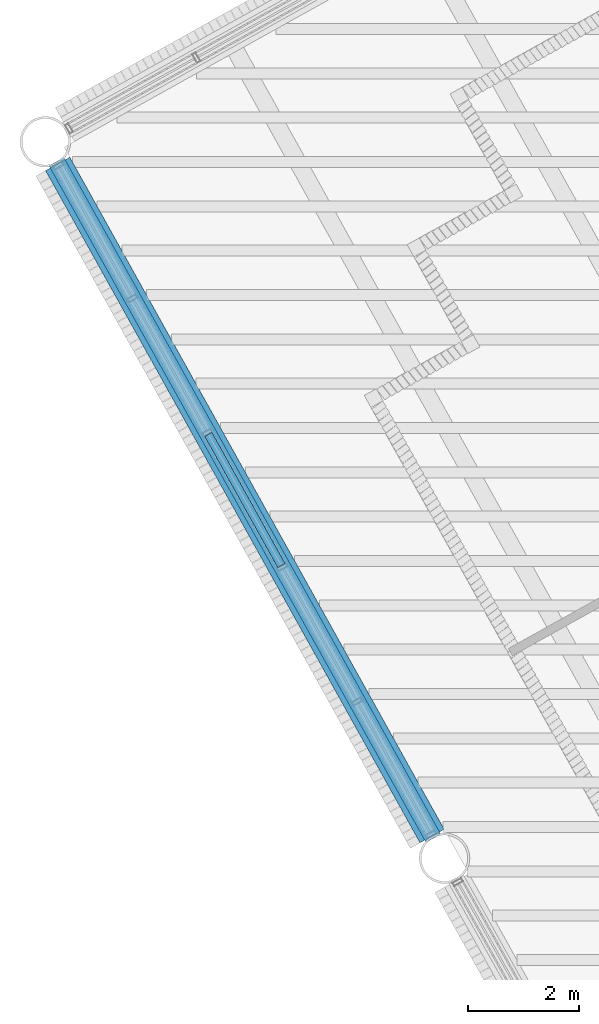
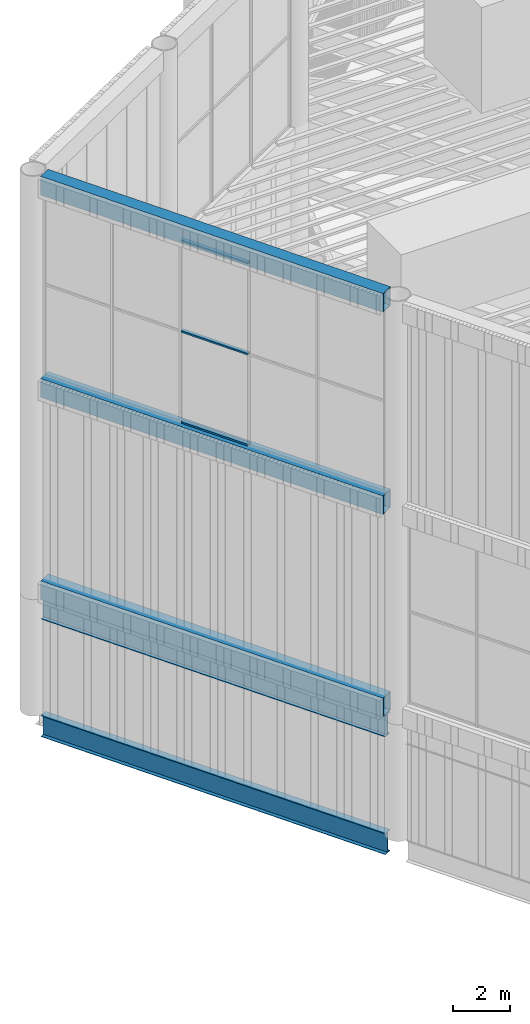
# One storey, part 14 of 117: 5 beams, 3 members, 1 element without a shape of its own.
"""IFC4 building model written with IfcOpenShell, lengths in metres."""

from ifc_helpers import new_model, si_unit, direction, frame, origin, origin_2d, place, context, subcontext, project, spatial, hollow_rectangle, i_section, extrude, material, layer, layer_set, material_profile, profile_set, type_object, element, aggregate, save


model = new_model("IFC4")

# Units and contexts
model_context = context("Model", 3, precision=1e-05, world=origin(), true_north=direction((0.0, 1.0)))
body_context = subcontext(model_context, "Body", "Model", "MODEL_VIEW")
ifc_project = project(units=[si_unit("LENGTHUNIT", "METRE"), si_unit("AREAUNIT", "SQUARE_METRE"), si_unit("VOLUMEUNIT", "CUBIC_METRE"), si_unit("PLANEANGLEUNIT", "RADIAN"), si_unit("MASSUNIT", "GRAM", prefix="KILO")], contexts=[model_context])

# Site, building, storey
site_placement = place(None, origin())
site = spatial("IfcSite", under=ifc_project, at=site_placement, CompositionType="ELEMENT")
building_placement = place(site_placement, origin())
building = spatial("IfcBuilding", under=site, at=building_placement, Name="Tarsis Ring Headquarters", CompositionType="ELEMENT")
storey_placement = place(building_placement, frame((0.0, 0.0, 403.60009765625)))
storey = spatial("IfcBuildingStorey", under=building, at=storey_placement, Name="L95", CompositionType="ELEMENT", Elevation=403.60009765625)

# Beams
ifc_material_1 = material(Name="Structural steel S355", Category="steel")
ifc_material_profile_1 = material_profile(ifc_material_1, hollow_rectangle(XDim=0.5, YDim=0.800048828125, WallThickness=0.030029296875, at=origin_2d()), Name="RHS 800x500x30")
ifc_profile_set_1 = profile_set([ifc_material_profile_1], Name="Structural steel S355")
beam_type_1 = type_object("IfcBeamType", Name="Crown frame ring beam RHS 800x500x30", PredefinedType="BEAM", material=ifc_profile_set_1)
for number, where, z_axis, x_axis, name in (
    (1, (-44.3701171875, -8.298095703125, 5.39990234375), (0.486644272481, -0.873600224394, 0.0), (0.873600224394, 0.486644272481, 0.0), "Crown frame ring beam R16"),
    (2, (-44.3701171875, -8.298095703125, 14.0), (0.486644272481, -0.873600224394, 0.0), (0.873600224394, 0.486644272481, 0.0), "Crown frame ring beam M16"),
    (3, (-44.3701171875, -8.298095703125, 22.599853515625), (0.486644272481, -0.873600224394, 0.0), (0.873600224394, 0.486644272481, 0.0), "Crown frame ring beam T16"),
):
    element("IfcBeam", number, at=place(storey_placement, frame(where, z_axis=z_axis, x_axis=x_axis)), inside=storey, type_object=beam_type_1, Name=name, PredefinedType="BEAM", context=body_context, shape_type="SweptSolid", body=[
        extrude(hollow_rectangle(XDim=0.5, YDim=0.800048828125, WallThickness=0.030029296875, at=origin_2d()), origin(), (0.0, 0.0, 1.0), 13.885986328125),
    ])

# Curtain wall, members
ifc_material_2 = material(Name="Aluminium curtain wall", Category="aluminium")
ifc_layer = layer(ifc_material_2, 0.179931640625)
ifc_layer_set = layer_set([ifc_layer], Name="Curtain wall crown glazing")
curtain_wall_type = type_object("IfcCurtainWallType", Name="Curtain wall crown glazing", PredefinedType="NOTDEFINED", material=ifc_layer_set)
curtain_wall_placement = place(storey_placement, origin())
curtain_wall = element("IfcCurtainWall", 4, at=curtain_wall_placement, inside=storey, type_object=curtain_wall_type, Name="Crown glazing U16", PredefinedType="NOTDEFINED")
ifc_material_3 = material(Name="Aluminium transom", Category="aluminium")
ifc_material_profile_2 = material_profile(ifc_material_3, hollow_rectangle(XDim=0.14990234375, YDim=0.070068359375, WallThickness=0.0048828125, at=origin_2d()), Name="RHS 150x70x5")
ifc_profile_set_2 = profile_set([ifc_material_profile_2], Name="Aluminium transom")
member_type = type_object("IfcMemberType", Name="Crown glazing transom RHS 150x70x5", PredefinedType="USERDEFINED", material=ifc_profile_set_2)
member_1_placement = place(storey_placement, frame((-41.650146484375, -13.18115234375, 14.434814453125), z_axis=(0.486699208872, -0.873569619483, 0.0), x_axis=(0.873569619483, 0.486699208872, 0.0)))
member_1 = element("IfcMember", 5, at=member_1_placement, type_object=member_type, Name="CW-C transom 3.1", ObjectType="TRANSOM", PredefinedType="USERDEFINED", context=body_context, shape_type="SweptSolid", body=[
    extrude(hollow_rectangle(XDim=0.14990234375, YDim=0.070068359375, WallThickness=0.0048828125, at=origin_2d()), origin(), (0.0, 0.0, 1.0), 2.707275390625),
])
member_2_placement = place(storey_placement, frame((-41.650146484375, -13.18115234375, 18.2998046875), z_axis=(0.486699208872, -0.873569619483, 0.0), x_axis=(0.873569619483, 0.486699208872, 0.0)))
member_2 = element("IfcMember", 6, at=member_2_placement, type_object=member_type, Name="CW-C transom 3.2", ObjectType="TRANSOM", PredefinedType="USERDEFINED", context=body_context, shape_type="SweptSolid", body=[
    extrude(hollow_rectangle(XDim=0.14990234375, YDim=0.070068359375, WallThickness=0.0048828125, at=origin_2d()), origin(), (0.0, 0.0, 1.0), 2.707275390625),
])
member_3_placement = place(storey_placement, frame((-41.650146484375, -13.18115234375, 22.164794921875), z_axis=(0.486699208872, -0.873569619483, 0.0), x_axis=(0.873569619483, 0.486699208872, 0.0)))
member_3 = element("IfcMember", 7, at=member_3_placement, type_object=member_type, Name="CW-C transom 3.3", ObjectType="TRANSOM", PredefinedType="USERDEFINED", context=body_context, shape_type="SweptSolid", body=[
    extrude(hollow_rectangle(XDim=0.14990234375, YDim=0.070068359375, WallThickness=0.0048828125, at=origin_2d()), origin(), (0.0, 0.0, 1.0), 2.707275390625),
])
aggregate(curtain_wall, [member_1, member_2, member_3])

# Beams
ifc_material_profile_3 = material_profile(ifc_material_1, i_section(OverallWidth=0.3046875, OverallDepth=0.904296875, WebThickness=0.01513671875, FlangeThickness=0.02001953125, at=origin_2d()), Name="W36x135")
ifc_profile_set_3 = profile_set([ifc_material_profile_3], Name="Structural steel S355")
beam_type_2 = type_object("IfcBeamType", Name="XG Ring girder W36x135", PredefinedType="BEAM", material=ifc_profile_set_3)
for number, where, z_axis, x_axis, name in (
    (8, (-44.392333984375, -8.25830078125, -0.4521484375), (0.486649601114, -0.873597256026, 0.0), (0.873597256026, 0.486649601114, 0.0), "Ring girder XG5"),
    (9, (-44.392333984375, -8.25830078125, 4.5478515625), (0.486649601114, -0.873597256026, 0.0), (0.873597256026, 0.486649601114, 0.0), "Ring girder XG5"),
):
    element("IfcBeam", number, at=place(storey_placement, frame(where, z_axis=z_axis, x_axis=x_axis)), inside=storey, type_object=beam_type_2, Name=name, PredefinedType="BEAM", context=body_context, shape_type="SweptSolid", body=[
        extrude(i_section(OverallWidth=0.3046875, OverallDepth=0.904296875, WebThickness=0.01513671875, FlangeThickness=0.02001953125, at=origin_2d()), origin(), (0.0, 0.0, 1.0), 13.977294921875),
    ])

save(model, "model.ifc")
